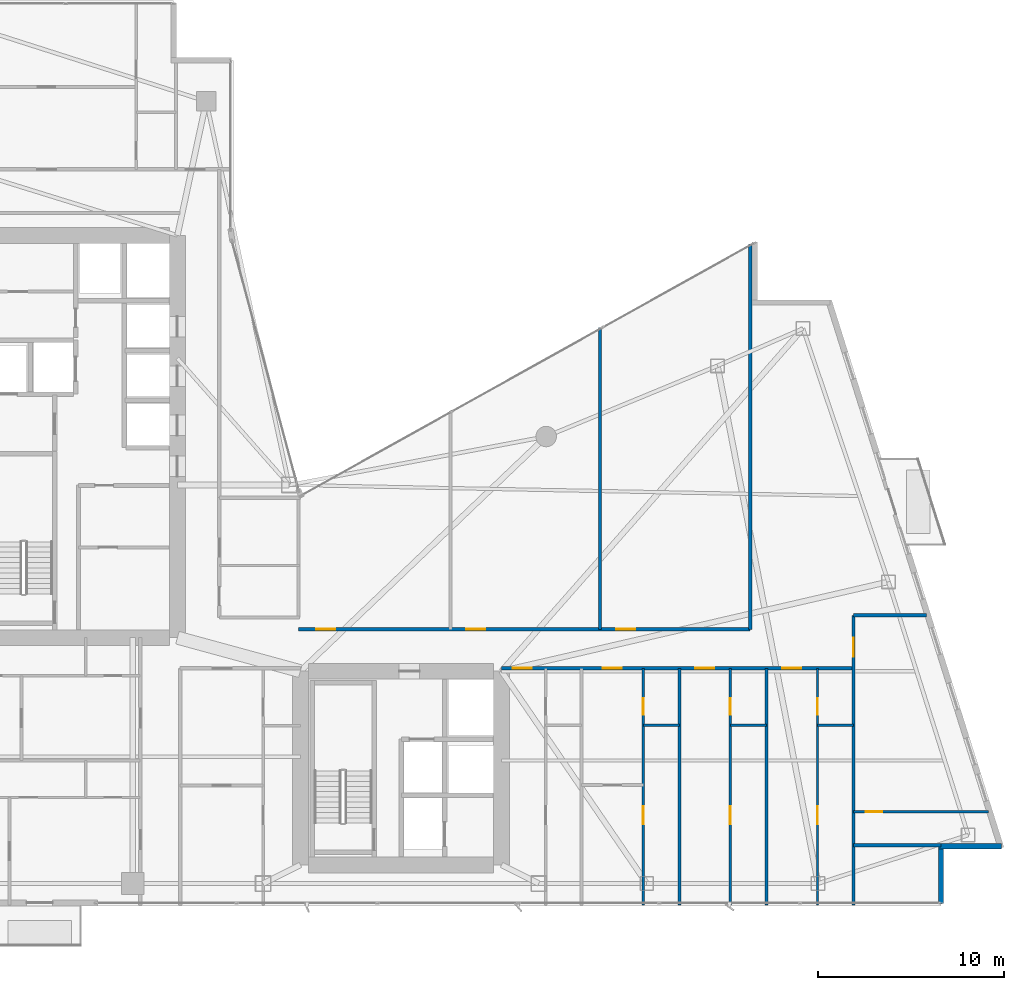
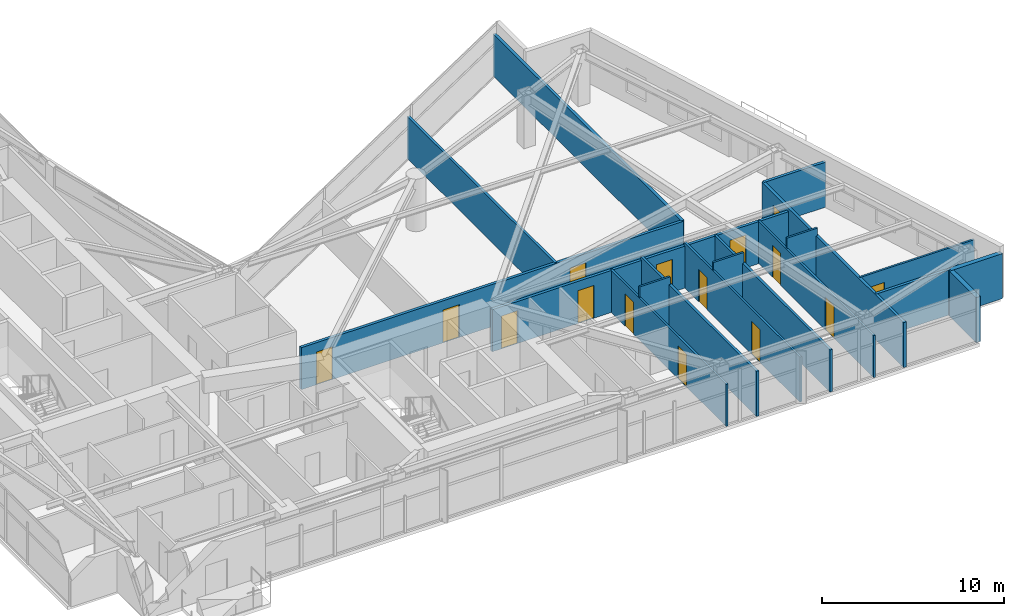
# One storey, part 24 of 28: 18 walls, 15 doors, 15 openings.
"""IFC4 building model written with IfcOpenShell, lengths in metres."""

from ifc_helpers import new_model, si_unit, direction, frame, frame_2d, origin, place, context, subcontext, project, spatial, rectangle, extrude, material, layer, layer_set, type_object, element, fill, save


model = new_model("IFC4")

# Units and contexts
model_context = context("Model", 3, precision=1e-05, world=origin(), true_north=direction((0.0, 1.0)))
body_context = subcontext(model_context, "Body", "Model", "MODEL_VIEW")
ifc_project = project(units=[si_unit("LENGTHUNIT", "METRE"), si_unit("AREAUNIT", "SQUARE_METRE"), si_unit("VOLUMEUNIT", "CUBIC_METRE"), si_unit("PLANEANGLEUNIT", "RADIAN"), si_unit("MASSUNIT", "GRAM", prefix="KILO")], contexts=[model_context])

# Site, building, storey
site_placement = place(None, origin())
site = spatial("IfcSite", under=ifc_project, at=site_placement, CompositionType="ELEMENT")
building_placement = place(site_placement, origin())
building = spatial("IfcBuilding", under=site, at=building_placement, Name="Calvorn Quay Hotel", CompositionType="ELEMENT")
storey_placement = place(building_placement, frame((0.0, 0.0, 135.39990234375)))
storey = spatial("IfcBuildingStorey", under=building, at=storey_placement, Name="L33", CompositionType="ELEMENT", Elevation=135.39990234375)

# Wall, openings, doors
ifc_material_1 = material(Name="Acoustic Fireboard Steel-Stud Partition", Category="steel")
ifc_layer_1 = layer(ifc_material_1, 0.179931640625)
ifc_layer_set_1 = layer_set([ifc_layer_1], Name="WL-CORR-FIRE-180")
wall_type_1 = type_object("IfcWallType", Name="WL-CORR-FIRE-180", PredefinedType="PARTITIONING", material=ifc_layer_set_1)
wall_1_placement = place(storey_placement, frame((32.39990234375, 15.14990234375, 0.0), z_axis=(0.0, 0.0, 1.0), x_axis=(1.0, 0.0, 0.0)))
wall_1 = element("IfcWall", 1, at=wall_1_placement, inside=storey, type_object=wall_type_1, Name="Partition Wall L33-WL-CORR-SE-S", PredefinedType="PARTITIONING", context=body_context, shape_type="SweptSolid", body=[
    extrude(rectangle(XDim=18.900146484375, YDim=0.179931640625, at=frame_2d((9.4501953125, 0.0))), origin(), (0.0, 0.0, 1.0), 2.820068359375),
])
opening_1_placement = place(wall_1_placement, frame((0.60009765625, 0.0, 0.0)))
opening_1 = element("IfcOpeningElement", 2, at=opening_1_placement, cuts=wall_1, Name="Opening D-L33-U05", PredefinedType="OPENING", context=body_context, shape_type="SweptSolid", body=[
    extrude(rectangle(XDim=1.02001953125, YDim=2.199951171875, at=frame_2d((0.510009765625, 1.10009765625))), frame((0.0, 0.099853515625, 0.0), z_axis=(0.0, -1.0, 0.0), x_axis=(1.0, 0.0, 0.0)), (0.0, 0.0, 1.0), 0.199951171875),
])
opening_2_placement = place(wall_1_placement, frame((5.449951171875, 0.0, 0.0)))
opening_2 = element("IfcOpeningElement", 3, at=opening_2_placement, cuts=wall_1, Name="Opening D-L33-U06", PredefinedType="OPENING", context=body_context, shape_type="SweptSolid", body=[
    extrude(rectangle(XDim=1.02001953125, YDim=2.199951171875, at=frame_2d((0.510009765625, 1.10009765625))), frame((0.0, 0.099853515625, 0.0), z_axis=(0.0, -1.0, 0.0), x_axis=(1.0, 0.0, 0.0)), (0.0, 0.0, 1.0), 0.199951171875),
])
opening_3_placement = place(wall_1_placement, frame((10.409912109375, 0.0, 0.0)))
opening_3 = element("IfcOpeningElement", 4, at=opening_3_placement, cuts=wall_1, Name="Opening D-L33-U07", PredefinedType="OPENING", context=body_context, shape_type="SweptSolid", body=[
    extrude(rectangle(XDim=1.02001953125, YDim=2.199951171875, at=frame_2d((0.510009765625, 1.10009765625))), frame((0.0, 0.099853515625, 0.0), z_axis=(0.0, -1.0, 0.0), x_axis=(1.0, 0.0, 0.0)), (0.0, 0.0, 1.0), 0.199951171875),
])
opening_4_placement = place(wall_1_placement, frame((15.080078125, 0.0, 0.0)))
opening_4 = element("IfcOpeningElement", 5, at=opening_4_placement, cuts=wall_1, Name="Opening D-L33-U08", PredefinedType="OPENING", context=body_context, shape_type="SweptSolid", body=[
    extrude(rectangle(XDim=1.02001953125, YDim=2.199951171875, at=frame_2d((0.510009765625, 1.10009765625))), frame((0.0, 0.099853515625, 0.0), z_axis=(0.0, -1.0, 0.0), x_axis=(1.0, 0.0, 0.0)), (0.0, 0.0, 1.0), 0.199951171875),
])
ifc_material_2 = material(Name="Solid-Core Walnut Veneer Hotel Fire Door")
door_type_1 = type_object("IfcDoorType", Name="DR-GUEST-ENTRY-1020", OperationType="NOTDEFINED", PredefinedType="DOOR", material=ifc_material_2)
door_1_placement = place(opening_1_placement, origin())
door_1 = element("IfcDoor", 6, at=door_1_placement, inside=storey, type_object=door_type_1, Name="South-East Unit Door U05 (L33)", OperationType="SINGLE_SWING_LEFT", OverallHeight=2.199951171875, OverallWidth=1.02001953125, PredefinedType="DOOR", context=body_context, shape_type="SweptSolid", body=[
    extrude(rectangle(XDim=1.02001953125, YDim=2.199951171875, at=frame_2d((0.510009765625, 1.10009765625))), frame((0.0, 0.02490234375, 0.0), z_axis=(0.0, -1.0, 0.0), x_axis=(1.0, 0.0, 0.0)), (0.0, 0.0, 1.0), 0.050048828125),
])
fill(opening_1, door_1)
door_2_placement = place(opening_2_placement, origin())
door_2 = element("IfcDoor", 7, at=door_2_placement, inside=storey, type_object=door_type_1, Name="South-East Unit Door U06 (L33)", OperationType="SINGLE_SWING_RIGHT", OverallHeight=2.199951171875, OverallWidth=1.02001953125, PredefinedType="DOOR", context=body_context, shape_type="SweptSolid", body=[
    extrude(rectangle(XDim=1.02001953125, YDim=2.199951171875, at=frame_2d((0.510009765625, 1.10009765625))), frame((0.0, 0.02490234375, 0.0), z_axis=(0.0, -1.0, 0.0), x_axis=(1.0, 0.0, 0.0)), (0.0, 0.0, 1.0), 0.050048828125),
])
fill(opening_2, door_2)
door_3_placement = place(opening_3_placement, origin())
door_3 = element("IfcDoor", 8, at=door_3_placement, inside=storey, type_object=door_type_1, Name="South-East Unit Door U07 (L33)", OperationType="SINGLE_SWING_LEFT", OverallHeight=2.199951171875, OverallWidth=1.02001953125, PredefinedType="DOOR", context=body_context, shape_type="SweptSolid", body=[
    extrude(rectangle(XDim=1.02001953125, YDim=2.199951171875, at=frame_2d((0.510009765625, 1.10009765625))), frame((0.0, 0.02490234375, 0.0), z_axis=(0.0, -1.0, 0.0), x_axis=(1.0, 0.0, 0.0)), (0.0, 0.0, 1.0), 0.050048828125),
])
fill(opening_3, door_3)
door_4_placement = place(opening_4_placement, origin())
door_4 = element("IfcDoor", 9, at=door_4_placement, inside=storey, type_object=door_type_1, Name="South-East Unit Door U08 (L33)", OperationType="SINGLE_SWING_RIGHT", OverallHeight=2.199951171875, OverallWidth=1.02001953125, PredefinedType="DOOR", context=body_context, shape_type="SweptSolid", body=[
    extrude(rectangle(XDim=1.02001953125, YDim=2.199951171875, at=frame_2d((0.510009765625, 1.10009765625))), frame((0.0, 0.02490234375, 0.0), z_axis=(0.0, -1.0, 0.0), x_axis=(1.0, 0.0, 0.0)), (0.0, 0.0, 1.0), 0.050048828125),
])
fill(opening_4, door_4)

wall_2_placement = place(storey_placement, frame((21.5, 17.25, 0.0), z_axis=(0.0, 0.0, 1.0), x_axis=(1.0, 0.0, 0.0)))
wall_2 = element("IfcWall", 10, at=wall_2_placement, inside=storey, type_object=wall_type_1, Name="Partition Wall L33-WL-CORR-NE-N", PredefinedType="PARTITIONING", context=body_context, shape_type="SweptSolid", body=[
    extrude(rectangle(XDim=24.25, YDim=0.179931640625, at=frame_2d((12.125, 0.0))), origin(), (0.0, 0.0, 1.0), 2.820068359375),
])
opening_5_placement = place(wall_2_placement, frame((0.949951171875, 0.0, 0.0)))
opening_5 = element("IfcOpeningElement", 11, at=opening_5_placement, cuts=wall_2, Name="Opening D-L33-NS1", PredefinedType="OPENING", context=body_context, shape_type="SweptSolid", body=[
    extrude(rectangle(XDim=1.02001953125, YDim=2.199951171875, at=frame_2d((0.510009765625, 1.10009765625))), frame((0.0, 0.099853515625, 0.0), z_axis=(0.0, -1.0, 0.0), x_axis=(1.0, 0.0, 0.0)), (0.0, 0.0, 1.0), 0.199951171875),
])
opening_6_placement = place(wall_2_placement, frame((9.0, 0.0, 0.0)))
opening_6 = element("IfcOpeningElement", 12, at=opening_6_placement, cuts=wall_2, Name="Opening D-L33-NS2", PredefinedType="OPENING", context=body_context, shape_type="SweptSolid", body=[
    extrude(rectangle(XDim=1.02001953125, YDim=2.199951171875, at=frame_2d((0.510009765625, 1.10009765625))), frame((0.0, 0.099853515625, 0.0), z_axis=(0.0, -1.0, 0.0), x_axis=(1.0, 0.0, 0.0)), (0.0, 0.0, 1.0), 0.199951171875),
])
opening_7_placement = place(wall_2_placement, frame((17.050048828125, 0.0, 0.0)))
opening_7 = element("IfcOpeningElement", 13, at=opening_7_placement, cuts=wall_2, Name="Opening D-L33-NS3", PredefinedType="OPENING", context=body_context, shape_type="SweptSolid", body=[
    extrude(rectangle(XDim=1.02001953125, YDim=2.199951171875, at=frame_2d((0.510009765625, 1.10009765625))), frame((0.0, 0.099853515625, 0.0), z_axis=(0.0, -1.0, 0.0), x_axis=(1.0, 0.0, 0.0)), (0.0, 0.0, 1.0), 0.199951171875),
])
door_5_placement = place(opening_5_placement, origin())
door_5 = element("IfcDoor", 14, at=door_5_placement, inside=storey, type_object=door_type_1, Name="Conservatory Salon Door 1 (L33)", OperationType="SINGLE_SWING_RIGHT", OverallHeight=2.199951171875, OverallWidth=1.02001953125, PredefinedType="DOOR", context=body_context, shape_type="SweptSolid", body=[
    extrude(rectangle(XDim=1.02001953125, YDim=2.199951171875, at=frame_2d((0.510009765625, 1.10009765625))), frame((0.0, 0.02490234375, 0.0), z_axis=(0.0, -1.0, 0.0), x_axis=(1.0, 0.0, 0.0)), (0.0, 0.0, 1.0), 0.050048828125),
])
fill(opening_5, door_5)
door_6_placement = place(opening_6_placement, origin())
door_6 = element("IfcDoor", 15, at=door_6_placement, inside=storey, type_object=door_type_1, Name="Conservatory Salon Door 2 (L33)", OperationType="SINGLE_SWING_LEFT", OverallHeight=2.199951171875, OverallWidth=1.02001953125, PredefinedType="DOOR", context=body_context, shape_type="SweptSolid", body=[
    extrude(rectangle(XDim=1.02001953125, YDim=2.199951171875, at=frame_2d((0.510009765625, 1.10009765625))), frame((0.0, 0.02490234375, 0.0), z_axis=(0.0, -1.0, 0.0), x_axis=(1.0, 0.0, 0.0)), (0.0, 0.0, 1.0), 0.050048828125),
])
fill(opening_6, door_6)
door_7_placement = place(opening_7_placement, origin())
door_7 = element("IfcDoor", 16, at=door_7_placement, inside=storey, type_object=door_type_1, Name="Conservatory Salon Door 3 (L33)", OperationType="SINGLE_SWING_RIGHT", OverallHeight=2.199951171875, OverallWidth=1.02001953125, PredefinedType="DOOR", context=body_context, shape_type="SweptSolid", body=[
    extrude(rectangle(XDim=1.02001953125, YDim=2.199951171875, at=frame_2d((0.510009765625, 1.10009765625))), frame((0.0, 0.02490234375, 0.0), z_axis=(0.0, -1.0, 0.0), x_axis=(1.0, 0.0, 0.0)), (0.0, 0.0, 1.0), 0.050048828125),
])
fill(opening_7, door_7)

# Walls
wall_3_placement = place(storey_placement, frame((45.75, 17.25, 0.0), z_axis=(0.0, 0.0, 1.0), x_axis=(0.0, 1.0, 0.0)))
element("IfcWall", 17, at=wall_3_placement, inside=storey, type_object=wall_type_1, Name="Partition Wall L33-WL-NE-END-E", PredefinedType="PARTITIONING", context=body_context, shape_type="SweptSolid", body=[
    extrude(rectangle(XDim=20.68994140625, YDim=0.179931640625, at=frame_2d((10.344970703125, 0.0))), origin(), (0.0, 0.0, 1.0), 2.820068359375),
])
wall_4_placement = place(storey_placement, frame((51.300048828125, 5.659912109375, 0.0), z_axis=(0.0, 0.0, 1.0), x_axis=(1.0, 0.0, 0.0)))
element("IfcWall", 18, at=wall_4_placement, inside=storey, type_object=wall_type_1, Name="Partition Wall L33-WL-TIP-S", PredefinedType="PARTITIONING", context=body_context, shape_type="SweptSolid", body=[
    extrude(rectangle(XDim=4.699951171875, YDim=0.179931640625, at=frame_2d((2.35009765625, 0.0))), origin(), (0.0, 0.0, 1.0), 3.02001953125),
])
wall_5_placement = place(storey_placement, frame((51.300048828125, 18.0, 0.0), z_axis=(0.0, 0.0, 1.0), x_axis=(1.0, 0.0, 0.0)))
element("IfcWall", 19, at=wall_5_placement, inside=storey, type_object=wall_type_1, Name="Partition Wall L33-WL-TIP-DIV", PredefinedType="PARTITIONING", context=body_context, shape_type="SweptSolid", body=[
    extrude(rectangle(XDim=3.929931640625, YDim=0.179931640625, at=frame_2d((1.96484375, 0.0))), origin(), (0.0, 0.0, 1.0), 3.02001953125),
])

# Wall, opening, door
wall_6_placement = place(storey_placement, frame((51.300048828125, 2.43994140625, 0.0), z_axis=(0.0, 0.0, 1.0), x_axis=(0.0, 1.0, 0.0)))
wall_6 = element("IfcWall", 20, at=wall_6_placement, inside=storey, type_object=wall_type_1, Name="Partition Wall L33-WL-CORR-TIP-E1", PredefinedType="PARTITIONING", context=body_context, shape_type="SweptSolid", body=[
    extrude(rectangle(XDim=15.56005859375, YDim=0.179931640625, at=frame_2d((7.780029296875, 0.0))), origin(), (0.0, 0.0, 1.0), 3.02001953125),
])
opening_8_placement = place(wall_6_placement, frame((13.330078125, 0.0, 0.0)))
opening_8 = element("IfcOpeningElement", 21, at=opening_8_placement, cuts=wall_6, Name="Opening D-L33-U09", PredefinedType="OPENING", context=body_context, shape_type="SweptSolid", body=[
    extrude(rectangle(XDim=1.02001953125, YDim=2.199951171875, at=frame_2d((0.510009765625, 1.10009765625))), frame((0.0, 0.099853515625, 0.0), z_axis=(0.0, -1.0, 0.0), x_axis=(1.0, 0.0, 0.0)), (0.0, 0.0, 1.0), 0.199951171875),
])
door_8_placement = place(opening_8_placement, origin())
door_8 = element("IfcDoor", 22, at=door_8_placement, inside=storey, type_object=door_type_1, Name="Terrace Suite Door U09 (L33)", OperationType="SINGLE_SWING_LEFT", OverallHeight=2.199951171875, OverallWidth=1.02001953125, PredefinedType="DOOR", context=body_context, shape_type="SweptSolid", body=[
    extrude(rectangle(XDim=1.02001953125, YDim=2.199951171875, at=frame_2d((0.510009765625, 1.10009765625))), frame((0.0, 0.02490234375, 0.0), z_axis=(0.0, -1.0, 0.0), x_axis=(1.0, 0.0, 0.0)), (0.0, 0.0, 1.0), 0.050048828125),
])
fill(opening_8, door_8)

# Wall
ifc_material_3 = material(Name="Moisture-Resistant Tile-Backed Partition")
ifc_layer_2 = layer(ifc_material_3, 0.125)
ifc_layer_set_2 = layer_set([ifc_layer_2], Name="WL-ENSUITE-125")
wall_type_2 = type_object("IfcWallType", Name="WL-ENSUITE-125", PredefinedType="PARTITIONING", material=ifc_layer_set_2)
wall_7_placement = place(storey_placement, frame((40.02001953125, 12.10009765625, 0.0), z_axis=(0.0, 0.0, 1.0), x_axis=(1.0, 0.0, 0.0)))
element("IfcWall", 23, at=wall_7_placement, inside=storey, type_object=wall_type_2, Name="Partition Wall L33-WL-U06-BDV", PredefinedType="PARTITIONING", context=body_context, shape_type="SweptSolid", body=[
    extrude(rectangle(XDim=1.929931640625, YDim=0.125, at=frame_2d((0.96484375, 0.0))), origin(), (0.0, 0.0, 1.0), 3.52001953125),
])

# Wall, openings, doors
wall_8_placement = place(storey_placement, frame((40.02001953125, 2.43994140625, 0.0), z_axis=(0.0, 0.0, 1.0), x_axis=(0.0, 1.0, 0.0)))
wall_8 = element("IfcWall", 24, at=wall_8_placement, inside=storey, type_object=wall_type_2, Name="Partition Wall L33-WL-U06-BV", PredefinedType="PARTITIONING", context=body_context, shape_type="SweptSolid", body=[
    extrude(rectangle(XDim=12.7099609375, YDim=0.125, at=frame_2d((6.35498046875, 0.0))), origin(), (0.0, 0.0, 1.0), 2.820068359375),
])
opening_9_placement = place(wall_8_placement, frame((4.35009765625, 0.0, 0.0)))
opening_9 = element("IfcOpeningElement", 25, at=opening_9_placement, cuts=wall_8, Name="Opening D-L33-S06", PredefinedType="OPENING", context=body_context, shape_type="SweptSolid", body=[
    extrude(rectangle(XDim=0.9599609375, YDim=2.199951171875, at=frame_2d((0.47998046875, 1.10009765625))), frame((0.0, 0.072509765625, 0.0), z_axis=(0.0, -1.0, 0.0), x_axis=(1.0, 0.0, 0.0)), (0.0, 0.0, 1.0), 0.14501953125),
])
opening_10_placement = place(wall_8_placement, frame((10.2099609375, 0.0, 0.0)))
opening_10 = element("IfcOpeningElement", 26, at=opening_10_placement, cuts=wall_8, Name="Opening D-L33-E06", PredefinedType="OPENING", context=body_context, shape_type="SweptSolid", body=[
    extrude(rectangle(XDim=0.89990234375, YDim=2.14990234375, at=frame_2d((0.449951171875, 1.074951171875))), frame((0.0, 0.072509765625, 0.0), z_axis=(0.0, -1.0, 0.0), x_axis=(1.0, 0.0, 0.0)), (0.0, 0.0, 1.0), 0.14501953125),
])
ifc_material_4 = material(Name="Moisture-Sealed Timber En-Suite Door", Category="wood")
door_type_2 = type_object("IfcDoorType", Name="DR-ENSUITE-900", OperationType="NOTDEFINED", PredefinedType="DOOR", material=ifc_material_4)
door_9_placement = place(opening_10_placement, origin())
door_9 = element("IfcDoor", 27, at=door_9_placement, inside=storey, type_object=door_type_2, Name="En-Suite Door 06", OperationType="SINGLE_SWING_RIGHT", OverallHeight=2.14990234375, OverallWidth=0.89990234375, PredefinedType="DOOR", context=body_context, shape_type="SweptSolid", body=[
    extrude(rectangle(XDim=0.89990234375, YDim=2.14990234375, at=frame_2d((0.449951171875, 1.074951171875))), frame((0.0, 0.02490234375, 0.0), z_axis=(0.0, -1.0, 0.0), x_axis=(1.0, 0.0, 0.0)), (0.0, 0.0, 1.0), 0.050048828125),
])
fill(opening_10, door_9)
ifc_material_5 = material(Name="Solid Timber Internal Suite Door", Category="wood")
door_type_3 = type_object("IfcDoorType", Name="DR-SUITE-INT-960", OperationType="NOTDEFINED", PredefinedType="DOOR", material=ifc_material_5)
door_10_placement = place(opening_9_placement, origin())
door_10 = element("IfcDoor", 28, at=door_10_placement, inside=storey, type_object=door_type_3, Name="Executive Work Office Door 06", OperationType="SINGLE_SWING_LEFT", OverallHeight=2.199951171875, OverallWidth=0.9599609375, PredefinedType="DOOR", context=body_context, shape_type="SweptSolid", body=[
    extrude(rectangle(XDim=0.9599609375, YDim=2.199951171875, at=frame_2d((0.47998046875, 1.10009765625))), frame((0.0, 0.02490234375, 0.0), z_axis=(0.0, -1.0, 0.0), x_axis=(1.0, 0.0, 0.0)), (0.0, 0.0, 1.0), 0.050048828125),
])
fill(opening_9, door_10)

# Wall
wall_9_placement = place(storey_placement, frame((44.68994140625, 12.10009765625, 0.0), z_axis=(0.0, 0.0, 1.0), x_axis=(1.0, 0.0, 0.0)))
element("IfcWall", 29, at=wall_9_placement, inside=storey, type_object=wall_type_2, Name="Partition Wall L33-WL-U07-BDV", PredefinedType="PARTITIONING", context=body_context, shape_type="SweptSolid", body=[
    extrude(rectangle(XDim=1.93017578125, YDim=0.125, at=frame_2d((0.965087890625, 0.0))), origin(), (0.0, 0.0, 1.0), 3.52001953125),
])

# Wall, openings, doors
wall_10_placement = place(storey_placement, frame((44.68994140625, 2.43994140625, 0.0), z_axis=(0.0, 0.0, 1.0), x_axis=(0.0, 1.0, 0.0)))
wall_10 = element("IfcWall", 30, at=wall_10_placement, inside=storey, type_object=wall_type_2, Name="Partition Wall L33-WL-U07-BV", PredefinedType="PARTITIONING", context=body_context, shape_type="SweptSolid", body=[
    extrude(rectangle(XDim=12.7099609375, YDim=0.125, at=frame_2d((6.35498046875, 0.0))), origin(), (0.0, 0.0, 1.0), 3.02001953125),
])
opening_11_placement = place(wall_10_placement, frame((4.35009765625, 0.0, 0.0)))
opening_11 = element("IfcOpeningElement", 31, at=opening_11_placement, cuts=wall_10, Name="Opening D-L33-S07", PredefinedType="OPENING", context=body_context, shape_type="SweptSolid", body=[
    extrude(rectangle(XDim=0.9599609375, YDim=2.199951171875, at=frame_2d((0.47998046875, 1.10009765625))), frame((0.0, 0.072509765625, 0.0), z_axis=(0.0, -1.0, 0.0), x_axis=(1.0, 0.0, 0.0)), (0.0, 0.0, 1.0), 0.14501953125),
])
opening_12_placement = place(wall_10_placement, frame((10.2099609375, 0.0, 0.0)))
opening_12 = element("IfcOpeningElement", 32, at=opening_12_placement, cuts=wall_10, Name="Opening D-L33-E07", PredefinedType="OPENING", context=body_context, shape_type="SweptSolid", body=[
    extrude(rectangle(XDim=0.89990234375, YDim=2.14990234375, at=frame_2d((0.449951171875, 1.074951171875))), frame((0.0, 0.072509765625, 0.0), z_axis=(0.0, -1.0, 0.0), x_axis=(1.0, 0.0, 0.0)), (0.0, 0.0, 1.0), 0.14501953125),
])
door_11_placement = place(opening_12_placement, origin())
door_11 = element("IfcDoor", 33, at=door_11_placement, inside=storey, type_object=door_type_2, Name="En-Suite Door 07", OperationType="SINGLE_SWING_RIGHT", OverallHeight=2.14990234375, OverallWidth=0.89990234375, PredefinedType="DOOR", context=body_context, shape_type="SweptSolid", body=[
    extrude(rectangle(XDim=0.89990234375, YDim=2.14990234375, at=frame_2d((0.449951171875, 1.074951171875))), frame((0.0, 0.02490234375, 0.0), z_axis=(0.0, -1.0, 0.0), x_axis=(1.0, 0.0, 0.0)), (0.0, 0.0, 1.0), 0.050048828125),
])
fill(opening_12, door_11)
door_12_placement = place(opening_11_placement, origin())
door_12 = element("IfcDoor", 34, at=door_12_placement, inside=storey, type_object=door_type_3, Name="Executive Work Office Door 07", OperationType="SINGLE_SWING_LEFT", OverallHeight=2.199951171875, OverallWidth=0.9599609375, PredefinedType="DOOR", context=body_context, shape_type="SweptSolid", body=[
    extrude(rectangle(XDim=0.9599609375, YDim=2.199951171875, at=frame_2d((0.47998046875, 1.10009765625))), frame((0.0, 0.02490234375, 0.0), z_axis=(0.0, -1.0, 0.0), x_axis=(1.0, 0.0, 0.0)), (0.0, 0.0, 1.0), 0.050048828125),
])
fill(opening_11, door_12)

# Wall
wall_11_placement = place(storey_placement, frame((49.3701171875, 12.10009765625, 0.0), z_axis=(0.0, 0.0, 1.0), x_axis=(1.0, 0.0, 0.0)))
element("IfcWall", 35, at=wall_11_placement, inside=storey, type_object=wall_type_2, Name="Partition Wall L33-WL-U08-BDV", PredefinedType="PARTITIONING", context=body_context, shape_type="SweptSolid", body=[
    extrude(rectangle(XDim=1.929931640625, YDim=0.125, at=frame_2d((0.96484375, 0.0))), origin(), (0.0, 0.0, 1.0), 3.52001953125),
])

# Wall, openings, doors
wall_12_placement = place(storey_placement, frame((49.3701171875, 2.43994140625, 0.0), z_axis=(0.0, 0.0, 1.0), x_axis=(0.0, 1.0, 0.0)))
wall_12 = element("IfcWall", 36, at=wall_12_placement, inside=storey, type_object=wall_type_2, Name="Partition Wall L33-WL-U08-BV", PredefinedType="PARTITIONING", context=body_context, shape_type="SweptSolid", body=[
    extrude(rectangle(XDim=12.7099609375, YDim=0.125, at=frame_2d((6.35498046875, 0.0))), origin(), (0.0, 0.0, 1.0), 2.820068359375),
])
opening_13_placement = place(wall_12_placement, frame((4.35009765625, 0.0, 0.0)))
opening_13 = element("IfcOpeningElement", 37, at=opening_13_placement, cuts=wall_12, Name="Opening D-L33-S08", PredefinedType="OPENING", context=body_context, shape_type="SweptSolid", body=[
    extrude(rectangle(XDim=0.9599609375, YDim=2.199951171875, at=frame_2d((0.47998046875, 1.10009765625))), frame((0.0, 0.072509765625, 0.0), z_axis=(0.0, -1.0, 0.0), x_axis=(1.0, 0.0, 0.0)), (0.0, 0.0, 1.0), 0.14501953125),
])
opening_14_placement = place(wall_12_placement, frame((10.2099609375, 0.0, 0.0)))
opening_14 = element("IfcOpeningElement", 38, at=opening_14_placement, cuts=wall_12, Name="Opening D-L33-E08", PredefinedType="OPENING", context=body_context, shape_type="SweptSolid", body=[
    extrude(rectangle(XDim=0.89990234375, YDim=2.14990234375, at=frame_2d((0.449951171875, 1.074951171875))), frame((0.0, 0.072509765625, 0.0), z_axis=(0.0, -1.0, 0.0), x_axis=(1.0, 0.0, 0.0)), (0.0, 0.0, 1.0), 0.14501953125),
])
door_13_placement = place(opening_14_placement, origin())
door_13 = element("IfcDoor", 39, at=door_13_placement, inside=storey, type_object=door_type_2, Name="En-Suite Door 08", OperationType="SINGLE_SWING_RIGHT", OverallHeight=2.14990234375, OverallWidth=0.89990234375, PredefinedType="DOOR", context=body_context, shape_type="SweptSolid", body=[
    extrude(rectangle(XDim=0.89990234375, YDim=2.14990234375, at=frame_2d((0.449951171875, 1.074951171875))), frame((0.0, 0.02490234375, 0.0), z_axis=(0.0, -1.0, 0.0), x_axis=(1.0, 0.0, 0.0)), (0.0, 0.0, 1.0), 0.050048828125),
])
fill(opening_14, door_13)
door_14_placement = place(opening_13_placement, origin())
door_14 = element("IfcDoor", 40, at=door_14_placement, inside=storey, type_object=door_type_3, Name="Executive Work Office Door 08", OperationType="SINGLE_SWING_LEFT", OverallHeight=2.199951171875, OverallWidth=0.9599609375, PredefinedType="DOOR", context=body_context, shape_type="SweptSolid", body=[
    extrude(rectangle(XDim=0.9599609375, YDim=2.199951171875, at=frame_2d((0.47998046875, 1.10009765625))), frame((0.0, 0.02490234375, 0.0), z_axis=(0.0, -1.0, 0.0), x_axis=(1.0, 0.0, 0.0)), (0.0, 0.0, 1.0), 0.050048828125),
])
fill(opening_13, door_14)

# Wall, opening, door
wall_13_placement = place(storey_placement, frame((51.300048828125, 7.449951171875, 0.0), z_axis=(0.0, 0.0, 1.0), x_axis=(1.0, 0.0, 0.0)))
wall_13 = element("IfcWall", 41, at=wall_13_placement, inside=storey, type_object=wall_type_2, Name="Partition Wall L33-WL-U09-BH", PredefinedType="PARTITIONING", context=body_context, shape_type="SweptSolid", body=[
    extrude(rectangle(XDim=7.260009765625, YDim=0.125, at=frame_2d((3.6298828125, 0.0))), origin(), (0.0, 0.0, 1.0), 3.02001953125),
])
opening_15_placement = place(wall_13_placement, frame((0.64990234375, 0.0, 0.0)))
opening_15 = element("IfcOpeningElement", 42, at=opening_15_placement, cuts=wall_13, Name="Opening D-L33-E09", PredefinedType="OPENING", context=body_context, shape_type="SweptSolid", body=[
    extrude(rectangle(XDim=0.89990234375, YDim=2.14990234375, at=frame_2d((0.449951171875, 1.074951171875))), frame((0.0, 0.072509765625, 0.0), z_axis=(0.0, -1.0, 0.0), x_axis=(1.0, 0.0, 0.0)), (0.0, 0.0, 1.0), 0.14501953125),
])
door_15_placement = place(opening_15_placement, origin())
door_15 = element("IfcDoor", 43, at=door_15_placement, inside=storey, type_object=door_type_2, Name="En-Suite Door 09", OperationType="SINGLE_SWING_LEFT", OverallHeight=2.14990234375, OverallWidth=0.89990234375, PredefinedType="DOOR", context=body_context, shape_type="SweptSolid", body=[
    extrude(rectangle(XDim=0.89990234375, YDim=2.14990234375, at=frame_2d((0.449951171875, 1.074951171875))), frame((0.0, 0.02490234375, 0.0), z_axis=(0.0, -1.0, 0.0), x_axis=(1.0, 0.0, 0.0)), (0.0, 0.0, 1.0), 0.050048828125),
])
fill(opening_15, door_15)

# Walls
ifc_material_6 = material(Name="Concrete C40", Category="concrete")
ifc_layer_3 = layer(ifc_material_6, 0.320068359375)
ifc_layer_set_3 = layer_set([ifc_layer_3], Name="WL-EXT-SPANDREL-320")
wall_type_3 = type_object("IfcWallType", Name="WL-EXT-SPANDREL-320", PredefinedType="SOLIDWALL", material=ifc_layer_set_3)
wall_14_placement = place(storey_placement, frame((56.0, 2.52001953125, 0.0), z_axis=(0.0, 0.0, 1.0), x_axis=(0.0, 1.0, 0.0)))
element("IfcWall", 44, at=wall_14_placement, inside=storey, type_object=wall_type_3, Name="Notched Corner Spandrel L33-SE1", PredefinedType="SOLIDWALL", context=body_context, shape_type="SweptSolid", body=[
    extrude(rectangle(XDim=2.93994140625, YDim=0.280029296875, at=frame_2d((1.469970703125, 0.0))), origin(), (0.0, 0.0, 1.0), 3.02001953125),
])
wall_15_placement = place(storey_placement, frame((55.860107421875, 5.60009765625, 0.0), z_axis=(0.0, 0.0, 1.0), x_axis=(1.0, 0.0, 0.0)))
element("IfcWall", 45, at=wall_15_placement, inside=storey, type_object=wall_type_3, Name="Notched Corner Spandrel L33-SE2", PredefinedType="SOLIDWALL", context=body_context, shape_type="SweptSolid", body=[
    extrude(rectangle(XDim=3.3798828125, YDim=0.280029296875, at=frame_2d((1.68994140625, 0.0))), origin(), (0.0, 0.0, 1.0), 3.02001953125),
])
ifc_material_7 = material(Name="Double-Stud Acoustic Gypsum Partition")
ifc_layer_4 = layer(ifc_material_7, 0.159912109375)
ifc_layer_set_4 = layer_set([ifc_layer_4], Name="WL-INTERSUITE-160")
wall_type_4 = type_object("IfcWallType", Name="WL-INTERSUITE-160", PredefinedType="PARTITIONING", material=ifc_layer_set_4)
wall_16_placement = place(storey_placement, frame((41.949951171875, 2.43994140625, 0.0), z_axis=(0.0, 0.0, 1.0), x_axis=(0.0, 1.0, 0.0)))
element("IfcWall", 46, at=wall_16_placement, inside=storey, type_object=wall_type_4, Name="Partition Wall L33-WL-SE-DIV-2", PredefinedType="PARTITIONING", context=body_context, shape_type="SweptSolid", body=[
    extrude(rectangle(XDim=12.7099609375, YDim=0.159912109375, at=frame_2d((6.35498046875, 0.0))), origin(), (0.0, 0.0, 1.0), 3.02001953125),
])
wall_17_placement = place(storey_placement, frame((46.6201171875, 2.43994140625, 0.0), z_axis=(0.0, 0.0, 1.0), x_axis=(0.0, 1.0, 0.0)))
element("IfcWall", 47, at=wall_17_placement, inside=storey, type_object=wall_type_4, Name="Partition Wall L33-WL-SE-DIV-3", PredefinedType="PARTITIONING", context=body_context, shape_type="SweptSolid", body=[
    extrude(rectangle(XDim=12.7099609375, YDim=0.159912109375, at=frame_2d((6.35498046875, 0.0))), origin(), (0.0, 0.0, 1.0), 2.820068359375),
])
wall_18_placement = place(storey_placement, frame((37.699951171875, 17.25, 0.0), z_axis=(0.0, 0.0, 1.0), x_axis=(0.0, 1.0, 0.0)))
element("IfcWall", 48, at=wall_18_placement, inside=storey, type_object=wall_type_4, Name="Partition Wall L33-WL-NE-DIV-2", PredefinedType="PARTITIONING", context=body_context, shape_type="SweptSolid", body=[
    extrude(rectangle(XDim=16.199951171875, YDim=0.159912109375, at=frame_2d((8.10009765625, 0.0))), origin(), (0.0, 0.0, 1.0), 2.820068359375),
])

save(model, "model.ifc")
